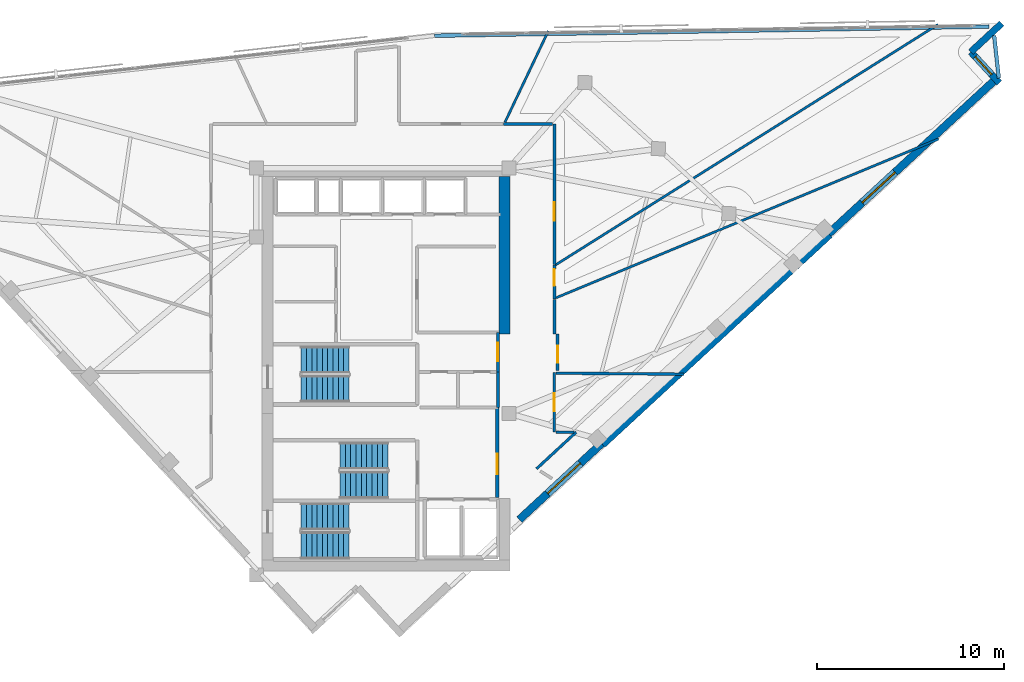
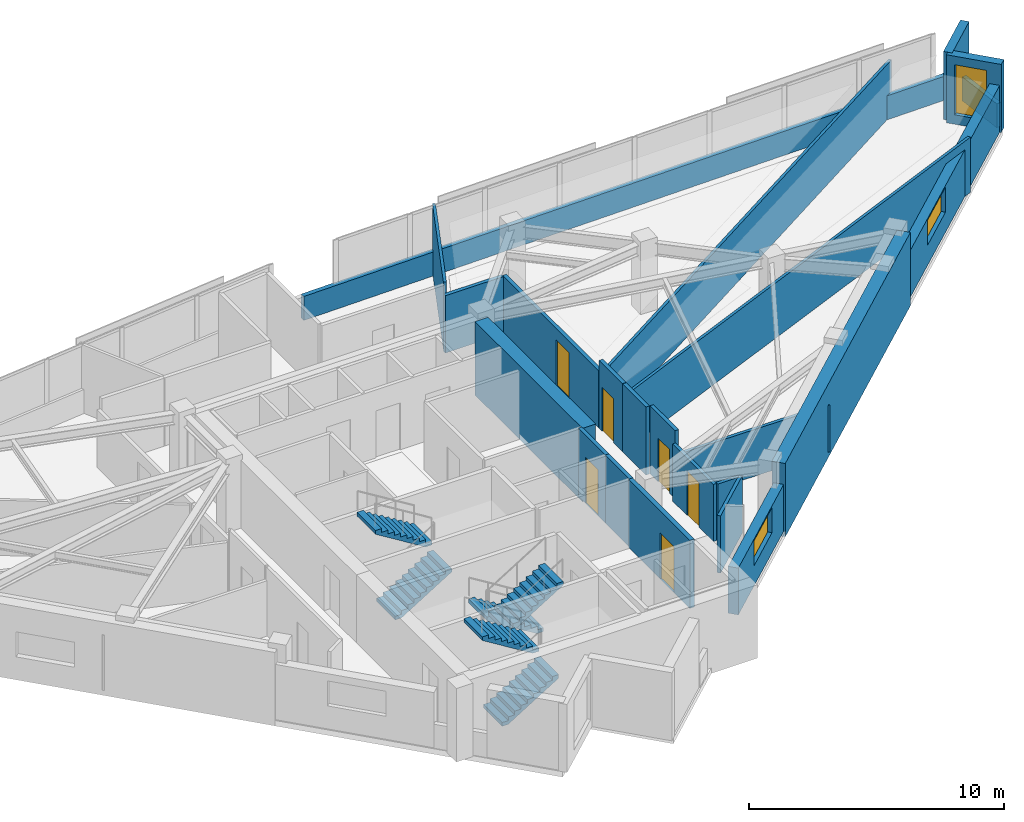
# One storey, part 10 of 13: 23 walls, 6 doors, 6 stair flights, 3 windows, 9 openings, 3 elements without a shape of their own.
"""IFC4 building model written with IfcOpenShell, lengths in metres."""

from ifc_helpers import new_model, si_unit, direction, frame, frame_2d, origin, place, context, subcontext, project, spatial, polyline, rectangle, outline, extrude, material, layer, layer_set, type_object, element, fill, aggregate, save


model = new_model("IFC4")

# Units and contexts
model_context = context("Model", 3, precision=1e-05, world=origin(), true_north=direction((0.0, 1.0)))
body_context = subcontext(model_context, "Body", "Model", "MODEL_VIEW")
ifc_project = project(units=[si_unit("LENGTHUNIT", "METRE"), si_unit("AREAUNIT", "SQUARE_METRE"), si_unit("VOLUMEUNIT", "CUBIC_METRE"), si_unit("PLANEANGLEUNIT", "RADIAN"), si_unit("MASSUNIT", "GRAM", prefix="KILO")], contexts=[model_context])

# Site, building, storey
site_placement = place(None, origin())
site = spatial("IfcSite", under=ifc_project, at=site_placement, CompositionType="ELEMENT")
building_placement = place(site_placement, origin())
building = spatial("IfcBuilding", under=site, at=building_placement, Name="Narakoshi Arena Tower", CompositionType="ELEMENT")
storey_placement = place(building_placement, frame((0.0, 0.0, 271.300048828125)))
storey = spatial("IfcBuildingStorey", under=building, at=storey_placement, Name="L74", CompositionType="ELEMENT", Elevation=271.300048828125)

# Wall
ifc_material_1 = material(Name="Concrete C50/60", Category="concrete")
ifc_layer_1 = layer(ifc_material_1, 0.60009765625)
ifc_layer_set_1 = layer_set([ifc_layer_1], Name="Concrete C50/60")
wall_type_1 = type_object("IfcWallType", Name="WL-CORE-600", PredefinedType="SHEAR", material=ifc_layer_set_1)
wall_1_placement = place(storey_placement, frame((85.300048828125, 47.60009765625, -0.260009765625), z_axis=(0.0, 0.0, 1.0), x_axis=(0.0, 1.0, 0.0)))
element("IfcWall", 1, at=wall_1_placement, inside=storey, type_object=wall_type_1, Name="L74 Main Core Shear Wall CW-MN-E", PredefinedType="SHEAR", context=body_context, shape_type="SweptSolid", body=[
    extrude(rectangle(XDim=8.449951171875, YDim=0.60009765625, at=frame_2d((4.22509765625, 0.0))), origin(), (0.0, 0.0, 1.0), 3.52001953125),
])

# Wall, opening, door
ifc_material_2 = material(Name="Gypsum plasterboard fire-rated partition")
ifc_layer_2 = layer(ifc_material_2, 0.1650390625)
ifc_layer_set_2 = layer_set([ifc_layer_2], Name="Gypsum plasterboard fire-rated partition")
wall_type_2 = type_object("IfcWallType", Name="WL-CORR-165", PredefinedType="PARTITIONING", material=ifc_layer_set_2)
wall_2_placement = place(storey_placement, frame((84.949951171875, 45.580078125, 0.0), z_axis=(0.0, 0.0, 1.0), x_axis=(0.0, 1.0, 0.0)))
wall_2 = element("IfcWall", 2, at=wall_2_placement, inside=storey, type_object=wall_type_2, Name="L74 Core Wall CPAS-E", PredefinedType="PARTITIONING", context=body_context, shape_type="SweptSolid", body=[
    extrude(rectangle(XDim=2.119873046875, YDim=0.1650390625, at=frame_2d((1.06005859375, 0.0))), origin(), (0.0, 0.0, 1.0), 3.260009765625),
])
opening_1_placement = place(wall_2_placement, frame((0.56005859375, 0.0, 0.0)))
opening_1 = element("IfcOpeningElement", 3, at=opening_1_placement, cuts=wall_2, Name="Opening D-06", PredefinedType="OPENING", context=body_context, shape_type="SweptSolid", body=[
    extrude(rectangle(XDim=1.0, YDim=2.199951171875, at=frame_2d((0.5, 1.10009765625))), frame((0.0, 0.092529296875, 0.0), z_axis=(0.0, -1.0, 0.0), x_axis=(1.0, 0.0, 0.0)), (0.0, 0.0, 1.0), 0.18505859375),
])
ifc_material_3 = material(Name="Stained oak solid-core timber", Category="wood")
door_type_1 = type_object("IfcDoorType", Name="DR-OFF-1000", OperationType="NOTDEFINED", PredefinedType="DOOR", material=ifc_material_3)
door_1_placement = place(opening_1_placement, frame((1.0, 0.0, 0.0), z_axis=(0.0, 0.0, 1.0), x_axis=(-1.0, 0.0, 0.0)))
door_1 = element("IfcDoor", 4, at=door_1_placement, inside=storey, type_object=door_type_1, Name="DR-L74-007", OperationType="SINGLE_SWING_LEFT", OverallHeight=2.199951171875, OverallWidth=1.0, PredefinedType="DOOR", context=body_context, shape_type="SweptSolid", body=[
    extrude(rectangle(XDim=1.0, YDim=2.199951171875, at=frame_2d((0.5, 1.10009765625))), frame((0.0, 0.02490234375, 0.0), z_axis=(0.0, -1.0, 0.0), x_axis=(1.0, 0.0, 0.0)), (0.0, 0.0, 1.0), 0.050048828125),
])
fill(opening_1, door_1)

wall_3_placement = place(storey_placement, frame((87.976318359375, 49.477294921875, 0.0), z_axis=(0.0, 0.0, 1.0), x_axis=(0.0, 1.0, 0.0)))
wall_3 = element("IfcWall", 5, at=wall_3_placement, inside=storey, type_object=wall_type_2, Name="L74 Corridor Partition 03-1", PredefinedType="PARTITIONING", context=body_context, shape_type="SweptSolid", body=[
    extrude(rectangle(XDim=1.83154296875, YDim=0.1650390625, at=frame_2d((0.915771484375, 0.0))), origin(), (0.0, 0.0, 1.0), 3.260009765625),
])
opening_2_placement = place(wall_3_placement, frame((0.710205078125, 0.0, 0.0)))
opening_2 = element("IfcOpeningElement", 6, at=opening_2_placement, cuts=wall_3, Name="Opening D-08", PredefinedType="OPENING", context=body_context, shape_type="SweptSolid", body=[
    extrude(rectangle(XDim=0.89990234375, YDim=2.10009765625, at=frame_2d((0.449951171875, 1.050048828125))), frame((0.0, 0.092529296875, 0.0), z_axis=(0.0, -1.0, 0.0), x_axis=(1.0, 0.0, 0.0)), (0.0, 0.0, 1.0), 0.18505859375),
])
ifc_material_4 = material(Name="Moisture-resistant laminate timber", Category="wood")
door_type_2 = type_object("IfcDoorType", Name="DR-WC-900", OperationType="NOTDEFINED", PredefinedType="DOOR", material=ifc_material_4)
door_2_placement = place(opening_2_placement, frame((0.89990234375, 0.0, 0.0), z_axis=(0.0, 0.0, 1.0), x_axis=(-1.0, 0.0, 0.0)))
door_2 = element("IfcDoor", 7, at=door_2_placement, inside=storey, type_object=door_type_2, Name="DR-L74-018", OperationType="SINGLE_SWING_RIGHT", OverallHeight=2.10009765625, OverallWidth=0.89990234375, PredefinedType="DOOR", context=body_context, shape_type="SweptSolid", body=[
    extrude(rectangle(XDim=0.89990234375, YDim=2.10009765625, at=frame_2d((0.449951171875, 1.050048828125))), frame((0.0, 0.02490234375, 0.0), z_axis=(0.0, -1.0, 0.0), x_axis=(1.0, 0.0, 0.0)), (0.0, 0.0, 1.0), 0.050048828125),
])
fill(opening_2, door_2)

wall_4_placement = place(storey_placement, frame((88.14990234375, 45.64990234375, 0.0), z_axis=(0.0, 0.0, 1.0), x_axis=(0.0, 1.0, 0.0)))
wall_4 = element("IfcWall", 8, at=wall_4_placement, inside=storey, type_object=wall_type_2, Name="L74 Corridor Partition 04-1", PredefinedType="PARTITIONING", context=body_context, shape_type="SweptSolid", body=[
    extrude(rectangle(XDim=1.97021484375, YDim=0.1650390625, at=frame_2d((0.985107421875, 0.0))), origin(), (0.0, 0.0, 1.0), 3.260009765625),
])
opening_3_placement = place(wall_4_placement, frame((0.4345703125, 0.0, 0.0)))
opening_3 = element("IfcOpeningElement", 9, at=opening_3_placement, cuts=wall_4, Name="Opening D-08", PredefinedType="OPENING", context=body_context, shape_type="SweptSolid", body=[
    extrude(rectangle(XDim=0.89990234375, YDim=2.10009765625, at=frame_2d((0.449951171875, 1.050048828125))), frame((0.0, 0.092529296875, 0.0), z_axis=(0.0, -1.0, 0.0), x_axis=(1.0, 0.0, 0.0)), (0.0, 0.0, 1.0), 0.18505859375),
])
door_3_placement = place(opening_3_placement, frame((0.89990234375, 0.0, 0.0), z_axis=(0.0, 0.0, 1.0), x_axis=(-1.0, 0.0, 0.0)))
door_3 = element("IfcDoor", 10, at=door_3_placement, inside=storey, type_object=door_type_2, Name="DR-L74-019", OperationType="SINGLE_SWING_LEFT", OverallHeight=2.10009765625, OverallWidth=0.89990234375, PredefinedType="DOOR", context=body_context, shape_type="SweptSolid", body=[
    extrude(rectangle(XDim=0.89990234375, YDim=2.10009765625, at=frame_2d((0.449951171875, 1.050048828125))), frame((0.0, 0.02490234375, 0.0), z_axis=(0.0, -1.0, 0.0), x_axis=(1.0, 0.0, 0.0)), (0.0, 0.0, 1.0), 0.050048828125),
])
fill(opening_3, door_3)

# Wall
wall_5_placement = place(storey_placement, frame((87.976318359375, 47.6201171875, 0.0), z_axis=(0.0, 0.0, 1.0), x_axis=(0.0, 1.0, 0.0)))
element("IfcWall", 11, at=wall_5_placement, inside=storey, type_object=wall_type_2, Name="L74 Corridor Partition 04-2", PredefinedType="PARTITIONING", context=body_context, shape_type="SweptSolid", body=[
    extrude(rectangle(XDim=1.831298828125, YDim=0.1650390625, at=frame_2d((0.91552734375, 0.0))), origin(), (0.0, 0.0, 1.0), 3.260009765625),
])

# Wall, opening, door
wall_6_placement = place(storey_placement, frame((87.976318359375, 51.337158203125, 0.0), z_axis=(0.0, 0.0, 1.0), x_axis=(0.0, 1.0, 0.0)))
wall_6 = element("IfcWall", 12, at=wall_6_placement, inside=storey, type_object=wall_type_2, Name="L74 Corridor Partition 05-1", PredefinedType="PARTITIONING", context=body_context, shape_type="SweptSolid", body=[
    extrude(rectangle(XDim=7.539306640625, YDim=0.1650390625, at=frame_2d((3.76953125, 0.0))), origin(), (0.0, 0.0, 1.0), 2.744873046875),
])
opening_4_placement = place(wall_6_placement, frame((2.348876953125, 0.0, 0.0)))
opening_4 = element("IfcOpeningElement", 13, at=opening_4_placement, cuts=wall_6, Name="Opening D-06", PredefinedType="OPENING", context=body_context, shape_type="SweptSolid", body=[
    extrude(rectangle(XDim=1.0, YDim=2.199951171875, at=frame_2d((0.5, 1.10009765625))), frame((0.0, 0.092529296875, 0.0), z_axis=(0.0, -1.0, 0.0), x_axis=(1.0, 0.0, 0.0)), (0.0, 0.0, 1.0), 0.18505859375),
])
door_4_placement = place(opening_4_placement, frame((1.0, 0.0, 0.0), z_axis=(0.0, 0.0, 1.0), x_axis=(-1.0, 0.0, 0.0)))
door_4 = element("IfcDoor", 14, at=door_4_placement, inside=storey, type_object=door_type_1, Name="DR-L74-020", OperationType="SINGLE_SWING_RIGHT", OverallHeight=2.199951171875, OverallWidth=1.0, PredefinedType="DOOR", context=body_context, shape_type="SweptSolid", body=[
    extrude(rectangle(XDim=1.0, YDim=2.199951171875, at=frame_2d((0.5, 1.10009765625))), frame((0.0, 0.02490234375, 0.0), z_axis=(0.0, -1.0, 0.0), x_axis=(1.0, 0.0, 0.0)), (0.0, 0.0, 1.0), 0.050048828125),
])
fill(opening_4, door_4)

# Walls
wall_7_placement = place(storey_placement, frame((87.8818359375, 58.87646484375, 0.0), z_axis=(0.0, 0.0, 1.0), x_axis=(-1.0, 0.0, 0.0)))
element("IfcWall", 15, at=wall_7_placement, inside=storey, type_object=wall_type_2, Name="L74 Corridor Partition 05-2", PredefinedType="PARTITIONING", context=body_context, shape_type="SweptSolid", body=[
    extrude(rectangle(XDim=2.63623046875, YDim=0.1650390625, at=frame_2d((1.318115234375, 0.0))), origin(), (0.0, 0.0, 1.0), 2.744873046875),
])
ifc_layer_3 = layer(ifc_material_1, 0.550048828125)
ifc_layer_set_3 = layer_set([ifc_layer_3], Name="Concrete C50/60")
wall_type_3 = type_object("IfcWallType", Name="WL-LEG-550", PredefinedType="SHEAR", material=ifc_layer_set_3)
wall_8_placement = place(storey_placement, frame((90.5078125, 41.739501953125, -0.260009765625), z_axis=(0.0, 0.0, 1.0), x_axis=(0.734315848115, 0.678807951638, 0.0)))
element("IfcWall", 16, at=wall_8_placement, inside=storey, type_object=wall_type_3, Name="L74 Architectural Concrete Structural Wall LEGA-3", PredefinedType="SHEAR", context=body_context, shape_type="SweptSolid", body=[
    extrude(rectangle(XDim=16.57275390625, YDim=0.550048828125, at=frame_2d((8.286376953125, 0.0))), origin(), (0.0, 0.0, 1.0), 3.52001953125),
])
ifc_material_5 = material(Name="Precast concrete C45/55", Category="concrete")
ifc_layer_4 = layer(ifc_material_5, 0.25)
ifc_layer_set_4 = layer_set([ifc_layer_4], Name="Precast concrete C45/55")
wall_type_4 = type_object("IfcWallType", Name="WL-PARA-250", PredefinedType="PARAPET", material=ifc_layer_set_4)
wall_9_placement = place(storey_placement, frame((111.80419921875, 61.324951171875, 0.0), z_axis=(0.0, 0.0, 1.0), x_axis=(-0.10875765817, 0.994068293323, 0.0)))
element("IfcWall", 17, at=wall_9_placement, inside=storey, type_object=wall_type_4, Name="L74 Architectural Setback Ledge Parapet", PredefinedType="PARAPET", context=body_context, shape_type="SweptSolid", body=[
    extrude(rectangle(XDim=2.305419921875, YDim=0.199951171875, at=frame_2d((1.15283203125, 0.0))), origin(), (0.0, 0.0, 1.0), 1.14990234375),
])
wall_10_placement = place(storey_placement, frame((111.2705078125, 64.091796875, 0.0), z_axis=(0.0, 0.0, 1.0), x_axis=(-0.999864741935, -0.016446818413, 0.0)))
element("IfcWall", 18, at=wall_10_placement, inside=storey, type_object=wall_type_4, Name="L74 Hypotenuse Sill Upstand Parapet 1-01", PredefinedType="PARAPET", context=body_context, shape_type="SweptSolid", body=[
    extrude(rectangle(XDim=29.73291015625, YDim=0.199951171875, at=frame_2d((14.866455078125, 0.0))), origin(), (0.0, 0.0, 1.0), 1.14990234375),
])
ifc_layer_5 = layer(ifc_material_2, 0.125)
ifc_layer_set_5 = layer_set([ifc_layer_5], Name="Gypsum plasterboard fire-rated partition")
wall_type_5 = type_object("IfcWallType", Name="WL-PART-125", PredefinedType="PARTITIONING", material=ifc_layer_set_5)
wall_11_placement = place(storey_placement, frame((108.575439453125, 58.066650390625, 0.0), z_axis=(0.0, 0.0, 1.0), x_axis=(-0.923597614344, -0.383363335203, 0.0)))
element("IfcWall", 19, at=wall_11_placement, inside=storey, type_object=wall_type_5, Name="L74 Inter-Room Partition 03-04", PredefinedType="PARTITIONING", context=body_context, shape_type="SweptSolid", body=[
    extrude(rectangle(XDim=22.200927734375, YDim=0.125, at=frame_2d((11.1005859375, 0.0))), origin(), (0.0, 0.0, 1.0), 2.64501953125),
])
wall_12_placement = place(storey_placement, frame((88.02685546875, 51.308837890625, 0.0), z_axis=(0.0, 0.0, 1.0), x_axis=(0.846577402355, 0.532265630885, 0.0)))
element("IfcWall", 20, at=wall_12_placement, inside=storey, type_object=wall_type_5, Name="L74 Inter-Room Partition 03-05", PredefinedType="PARTITIONING", context=body_context, shape_type="SweptSolid", body=[
    extrude(rectangle(XDim=24.232177734375, YDim=0.125, at=frame_2d((12.1162109375, 0.0))), origin(), (0.0, 0.0, 1.0), 2.64501953125),
])
wall_13_placement = place(storey_placement, frame((85.33056640625, 58.970947265625, 0.0), z_axis=(0.0, 0.0, 1.0), x_axis=(0.429074283855, 0.903269206236, 0.0)))
element("IfcWall", 21, at=wall_13_placement, inside=storey, type_object=wall_type_5, Name="L74 Inter-Room Partition 05-06", PredefinedType="PARTITIONING", context=body_context, shape_type="SweptSolid", body=[
    extrude(rectangle(XDim=5.416259765625, YDim=0.125, at=frame_2d((2.7080078125, 0.0))), origin(), (0.0, 0.0, 1.0), 3.260009765625),
])

# Wall, opening, window
ifc_layer_6 = layer(ifc_material_5, 0.419921875)
ifc_layer_set_6 = layer_set([ifc_layer_6], Name="Precast concrete C45/55")
wall_type_6 = type_object("IfcWallType", Name="WL-POD-420", PredefinedType="SOLIDWALL", material=ifc_layer_set_6)
wall_14_placement = place(storey_placement, frame((86.10009765625, 37.6650390625, 0.0), z_axis=(0.0, 0.0, 1.0), x_axis=(0.734321413343, 0.678801931277, 0.0)))
wall_14 = element("IfcWall", 22, at=wall_14_placement, inside=storey, type_object=wall_type_6, Name="L74 Architectural Concrete Facade Wall LEGA-2", PredefinedType="SOLIDWALL", context=body_context, shape_type="SweptSolid", body=[
    extrude(rectangle(XDim=6.00244140625, YDim=0.419921875, at=frame_2d((3.001220703125, 0.0))), origin(), (0.0, 0.0, 1.0), 2.244873046875),
])
opening_5_placement = place(wall_14_placement, frame((2.05712890625, 0.0, 0.965087890625)))
opening_5 = element("IfcOpeningElement", 23, at=opening_5_placement, cuts=wall_14, Name="Opening WN-04", PredefinedType="OPENING", context=body_context, shape_type="SweptSolid", body=[
    extrude(rectangle(XDim=2.39990234375, YDim=1.199951171875, at=frame_2d((1.199951171875, 0.60009765625))), frame((0.0, 0.219970703125, 0.0), z_axis=(0.0, -1.0, 0.0), x_axis=(1.0, 0.0, 0.0)), (0.0, 0.0, 1.0), 0.43994140625),
])
ifc_material_6 = material(Name="Bronze-tinted low-E laminated glass", Category="glass")
window_type_1 = type_object("IfcWindowType", Name="WIN-SLT-24x12", PartitioningType="SINGLE_PANEL", PredefinedType="WINDOW", material=ifc_material_6)
window_1_placement = place(opening_5_placement, origin())
window_1 = element("IfcWindow", 24, at=window_1_placement, inside=storey, type_object=window_type_1, Name="L74 LEGA2 Horizontal Slot Window 1", OverallHeight=1.199951171875, OverallWidth=2.39990234375, PartitioningType="SINGLE_PANEL", PredefinedType="WINDOW", context=body_context, shape_type="SweptSolid", body=[
    extrude(rectangle(XDim=2.39990234375, YDim=1.199951171875, at=frame_2d((1.199951171875, 0.60009765625))), frame((0.0, 0.030029296875, 0.0), z_axis=(0.0, -1.0, 0.0), x_axis=(1.0, 0.0, 0.0)), (0.0, 0.0, 1.0), 0.06005859375),
])
fill(opening_5, window_1)

wall_15_placement = place(storey_placement, frame((102.677490234375, 52.9892578125, 0.0), z_axis=(0.0, 0.0, 1.0), x_axis=(0.734331107219, 0.678791444386, 0.0)))
wall_15 = element("IfcWall", 25, at=wall_15_placement, inside=storey, type_object=wall_type_6, Name="L74 Architectural Concrete Facade Wall LEGA-4", PredefinedType="SOLIDWALL", context=body_context, shape_type="SweptSolid", body=[
    extrude(rectangle(XDim=12.21142578125, YDim=0.419921875, at=frame_2d((6.105712890625, 0.0))), origin(), (0.0, 0.0, 1.0), 2.244873046875),
])
opening_6_placement = place(wall_15_placement, frame((2.453857421875, 0.0, 0.965087890625)))
opening_6 = element("IfcOpeningElement", 26, at=opening_6_placement, cuts=wall_15, Name="Opening WN-04", PredefinedType="OPENING", context=body_context, shape_type="SweptSolid", body=[
    extrude(rectangle(XDim=2.39990234375, YDim=1.199951171875, at=frame_2d((1.199951171875, 0.60009765625))), frame((0.0, 0.219970703125, 0.0), z_axis=(0.0, -1.0, 0.0), x_axis=(1.0, 0.0, 0.0)), (0.0, 0.0, 1.0), 0.43994140625),
])
window_2_placement = place(opening_6_placement, origin())
window_2 = element("IfcWindow", 27, at=window_2_placement, inside=storey, type_object=window_type_1, Name="L74 LEGA4 Horizontal Slot Window 1", OverallHeight=1.199951171875, OverallWidth=2.39990234375, PartitioningType="SINGLE_PANEL", PredefinedType="WINDOW", context=body_context, shape_type="SweptSolid", body=[
    extrude(rectangle(XDim=2.39990234375, YDim=1.199951171875, at=frame_2d((1.199951171875, 0.60009765625))), frame((0.0, 0.030029296875, 0.0), z_axis=(0.0, -1.0, 0.0), x_axis=(1.0, 0.0, 0.0)), (0.0, 0.0, 1.0), 0.06005859375),
])
fill(opening_6, window_2)

wall_16_placement = place(storey_placement, frame((111.83154296875, 61.076416015625, 0.0), z_axis=(0.0, 0.0, 1.0), x_axis=(-0.678792531533, 0.734330102294, 0.0)))
wall_16 = element("IfcWall", 28, at=wall_16_placement, inside=storey, type_object=wall_type_6, Name="L74 Re-Entrant Corner Notch Wall NTE-1", PredefinedType="SOLIDWALL", context=body_context, shape_type="SweptSolid", body=[
    extrude(rectangle(XDim=2.255126953125, YDim=0.360107421875, at=frame_2d((1.12744140625, 0.0))), origin(), (0.0, 0.0, 1.0), 3.260009765625),
])
opening_7_placement = place(wall_16_placement, frame((0.614990234375, 0.0, 0.449951171875)))
opening_7 = element("IfcOpeningElement", 29, at=opening_7_placement, cuts=wall_16, Name="Opening WN-06", PredefinedType="OPENING", context=body_context, shape_type="SweptSolid", body=[
    extrude(rectangle(XDim=1.300048828125, YDim=2.39990234375, at=frame_2d((0.64990234375, 1.199951171875))), frame((0.0, 0.18994140625, 0.0), z_axis=(0.0, -1.0, 0.0), x_axis=(1.0, 0.0, 0.0)), (0.0, 0.0, 1.0), 0.380126953125),
])
window_type_2 = type_object("IfcWindowType", Name="WIN-NTC-16x24", PartitioningType="SINGLE_PANEL", PredefinedType="WINDOW", material=ifc_material_6)
window_3_placement = place(opening_7_placement, origin())
window_3 = element("IfcWindow", 30, at=window_3_placement, inside=storey, type_object=window_type_2, Name="L74 Corner Notch Window NTE", OverallHeight=2.39990234375, OverallWidth=1.300048828125, PartitioningType="SINGLE_PANEL", PredefinedType="WINDOW", context=body_context, shape_type="SweptSolid", body=[
    extrude(rectangle(XDim=1.300048828125, YDim=2.39990234375, at=frame_2d((0.64990234375, 1.199951171875))), frame((0.0, 0.030029296875, 0.0), z_axis=(0.0, -1.0, 0.0), x_axis=(1.0, 0.0, 0.0)), (0.0, 0.0, 1.0), 0.06005859375),
])
fill(opening_7, window_3)

# Walls
wall_17_placement = place(storey_placement, frame((110.30078125, 62.732421875, 0.0), z_axis=(0.0, 0.0, 1.0), x_axis=(0.734330102294, 0.678792531533, 0.0)))
element("IfcWall", 31, at=wall_17_placement, inside=storey, type_object=wall_type_6, Name="L74 Re-Entrant Corner Notch Wall NTE-2", PredefinedType="SOLIDWALL", context=body_context, shape_type="SweptSolid", body=[
    extrude(rectangle(XDim=2.255126953125, YDim=0.360107421875, at=frame_2d((1.12744140625, 0.0))), origin(), (0.0, 0.0, 1.0), 3.260009765625),
])
ifc_material_7 = material(Name="Concrete C40/50", Category="concrete")
ifc_layer_7 = layer(ifc_material_7, 0.280029296875)
ifc_layer_set_7 = layer_set([ifc_layer_7], Name="Concrete C40/50")
wall_type_7 = type_object("IfcWallType", Name="WL-RISER-280", PredefinedType="PLUMBINGWALL", material=ifc_layer_set_7)
wall_18_placement = place(storey_placement, frame((84.949951171875, 43.679931640625, 0.0), z_axis=(0.0, 0.0, 1.0), x_axis=(0.0, 1.0, 0.0)))
element("IfcWall", 32, at=wall_18_placement, inside=storey, type_object=wall_type_7, Name="L74 Core Wall RSR-E", PredefinedType="PLUMBINGWALL", context=body_context, shape_type="SweptSolid", body=[
    extrude(rectangle(XDim=1.900146484375, YDim=0.1650390625, at=frame_2d((0.9501953125, 0.0))), origin(), (0.0, 0.0, 1.0), 3.260009765625),
])

# Wall, opening, door
ifc_layer_8 = layer(ifc_material_1, 0.35009765625)
ifc_layer_set_8 = layer_set([ifc_layer_8], Name="Concrete C50/60")
wall_type_8 = type_object("IfcWallType", Name="WL-SHAFT-350", PredefinedType="SOLIDWALL", material=ifc_layer_set_8)
wall_19_placement = place(storey_placement, frame((84.919921875, 38.85009765625, 0.0), z_axis=(0.0, 0.0, 1.0), x_axis=(0.0, 1.0, 0.0)))
wall_19 = element("IfcWall", 33, at=wall_19_placement, inside=storey, type_object=wall_type_8, Name="L74 Core Wall FFLOB-E", PredefinedType="SOLIDWALL", context=body_context, shape_type="SweptSolid", body=[
    extrude(rectangle(XDim=4.829833984375, YDim=0.199951171875, at=frame_2d((2.4150390625, 0.0))), origin(), (0.0, 0.0, 1.0), 3.260009765625),
])
opening_8_placement = place(wall_19_placement, frame((1.25, 0.0, 0.0)))
opening_8 = element("IfcOpeningElement", 34, at=opening_8_placement, cuts=wall_19, Name="Opening D-04", PredefinedType="OPENING", context=body_context, shape_type="SweptSolid", body=[
    extrude(rectangle(XDim=1.10009765625, YDim=2.199951171875, at=frame_2d((0.550048828125, 1.10009765625))), frame((0.0, 0.10986328125, 0.0), z_axis=(0.0, -1.0, 0.0), x_axis=(1.0, 0.0, 0.0)), (0.0, 0.0, 1.0), 0.219970703125),
])
ifc_material_8 = material(Name="Painted galvanized steel", Category="steel")
door_type_3 = type_object("IfcDoorType", Name="DR-FFL-1100", OperationType="NOTDEFINED", PredefinedType="DOOR", material=ifc_material_8)
door_5_placement = place(opening_8_placement, frame((1.10009765625, 0.0, 0.0), z_axis=(0.0, 0.0, 1.0), x_axis=(-1.0, 0.0, 0.0)))
door_5 = element("IfcDoor", 35, at=door_5_placement, inside=storey, type_object=door_type_3, Name="DR-L74-005", OperationType="SINGLE_SWING_RIGHT", OverallHeight=2.199951171875, OverallWidth=1.10009765625, PredefinedType="DOOR", context=body_context, shape_type="SweptSolid", body=[
    extrude(rectangle(XDim=1.10009765625, YDim=2.199951171875, at=frame_2d((0.550048828125, 1.10009765625))), frame((0.0, 0.02490234375, 0.0), z_axis=(0.0, -1.0, 0.0), x_axis=(1.0, 0.0, 0.0)), (0.0, 0.0, 1.0), 0.050048828125),
])
fill(opening_8, door_5)

ifc_material_9 = material(Name="Moisture-resistant cement-board partition")
ifc_layer_9 = layer(ifc_material_9, 0.14501953125)
ifc_layer_set_9 = layer_set([ifc_layer_9], Name="Moisture-resistant cement-board partition")
wall_type_9 = type_object("IfcWallType", Name="WL-WET-145", PredefinedType="PARTITIONING", material=ifc_layer_set_9)
wall_20_placement = place(storey_placement, frame((87.976318359375, 42.35009765625, 0.0), z_axis=(0.0, 0.0, 1.0), x_axis=(0.0, 1.0, 0.0)))
wall_20 = element("IfcWall", 36, at=wall_20_placement, inside=storey, type_object=wall_type_9, Name="L74 Corridor Partition 02-1", PredefinedType="PARTITIONING", context=body_context, shape_type="SweptSolid", body=[
    extrude(rectangle(XDim=3.197998046875, YDim=0.14501953125, at=frame_2d((1.59912109375, 0.0))), origin(), (0.0, 0.0, 1.0), 2.744873046875),
])
opening_9_placement = place(wall_20_placement, frame((1.1240234375, 0.0, 0.0)))
opening_9 = element("IfcOpeningElement", 37, at=opening_9_placement, cuts=wall_20, Name="Opening D-07", PredefinedType="OPENING", context=body_context, shape_type="SweptSolid", body=[
    extrude(rectangle(XDim=0.949951171875, YDim=2.14990234375, at=frame_2d((0.47509765625, 1.074951171875))), frame((0.0, 0.08251953125, 0.0), z_axis=(0.0, -1.0, 0.0), x_axis=(1.0, 0.0, 0.0)), (0.0, 0.0, 1.0), 0.1650390625),
])
door_type_4 = type_object("IfcDoorType", Name="DR-ACC-950", OperationType="NOTDEFINED", PredefinedType="DOOR", material=ifc_material_3)
door_6_placement = place(opening_9_placement, frame((0.949951171875, 0.0, 0.0), z_axis=(0.0, 0.0, 1.0), x_axis=(-1.0, 0.0, 0.0)))
door_6 = element("IfcDoor", 38, at=door_6_placement, inside=storey, type_object=door_type_4, Name="DR-L74-017", OperationType="SINGLE_SWING_RIGHT", OverallHeight=2.14990234375, OverallWidth=0.949951171875, PredefinedType="DOOR", context=body_context, shape_type="SweptSolid", body=[
    extrude(rectangle(XDim=0.949951171875, YDim=2.14990234375, at=frame_2d((0.47509765625, 1.074951171875))), frame((0.0, 0.02490234375, 0.0), z_axis=(0.0, -1.0, 0.0), x_axis=(1.0, 0.0, 0.0)), (0.0, 0.0, 1.0), 0.050048828125),
])
fill(opening_9, door_6)

# Walls
wall_21_placement = place(storey_placement, frame((87.019775390625, 40.3876953125, 0.0), z_axis=(0.0, 0.0, 1.0), x_axis=(0.734304632267, 0.678820084435, 0.0)))
element("IfcWall", 39, at=wall_21_placement, inside=storey, type_object=wall_type_9, Name="L74 Corridor Partition 02-2", PredefinedType="PARTITIONING", context=body_context, shape_type="SweptSolid", body=[
    extrude(rectangle(XDim=2.890869140625, YDim=0.14501953125, at=frame_2d((1.4453125, 0.0))), origin(), (0.0, 0.0, 1.0), 2.744873046875),
])
wall_22_placement = place(storey_placement, frame((89.01806640625, 42.35009765625, 0.0), z_axis=(0.0, 0.0, 1.0), x_axis=(-1.0, 0.0, 0.0)))
element("IfcWall", 40, at=wall_22_placement, inside=storey, type_object=wall_type_9, Name="L74 Corridor Partition 02-3", PredefinedType="PARTITIONING", context=body_context, shape_type="SweptSolid", body=[
    extrude(rectangle(XDim=0.957275390625, YDim=0.14501953125, at=frame_2d((0.478515625, 0.0))), origin(), (0.0, 0.0, 1.0), 2.744873046875),
])
wall_23_placement = place(storey_placement, frame((88.060791015625, 45.511474609375, 0.0), z_axis=(0.0, 0.0, 1.0), x_axis=(0.999970861304, -0.007633907438, 0.0)))
element("IfcWall", 41, at=wall_23_placement, inside=storey, type_object=wall_type_9, Name="L74 Inter-Room Partition 02-04", PredefinedType="PARTITIONING", context=body_context, shape_type="SweptSolid", body=[
    extrude(rectangle(XDim=6.8759765625, YDim=0.14501953125, at=frame_2d((3.43798828125, 0.0))), origin(), (0.0, 0.0, 1.0), 2.244873046875),
])

# Stair, stair flights
ifc_material_10 = material(Name="Concrete C45/55", Category="concrete")
stair_type = type_object("IfcStairType", Name="STR-CORE-352", PredefinedType="TWO_STRAIGHT_RUN_STAIR", material=ifc_material_10)
stair_1_placement = place(storey_placement, origin())
stair_1 = element("IfcStair", 42, at=stair_1_placement, inside=storey, type_object=stair_type, Name="L74 Core Escape Stair ST1", PredefinedType="TWO_STRAIGHT_RUN_STAIR")
stair_flight_type = type_object("IfcStairFlightType", Name="FLT-145-160", PredefinedType="STRAIGHT", material=ifc_material_5)
stair_flight_1_placement = place(storey_placement, frame((74.39990234375, 36.27490234375, 0.0), z_axis=(0.0, 0.0, 1.0), x_axis=(1.0, 0.0, 0.0)))
stair_flight_1 = element("IfcStairFlight", 43, at=stair_flight_1_placement, type_object=stair_flight_type, Name="ST1 flight 1", NumberOfRisers=10, NumberOfTreads=9, PredefinedType="STRAIGHT", RiserHeight=0.176, TreadLength=0.285, context=body_context, shape_type="SweptSolid", body=[
    extrude(outline(polyline([(0.0, 0.0), (0.0, 0.176025390625), (0.284912109375, 0.176025390625), (0.284912109375, 0.35205078125), (0.570068359375, 0.35205078125), (0.570068359375, 0.528076171875), (0.85498046875, 0.528076171875), (0.85498046875, 0.7041015625), (1.139892578125, 0.7041015625), (1.139892578125, 0.8798828125), (1.425048828125, 0.8798828125), (1.425048828125, 1.055908203125), (1.7099609375, 1.055908203125), (1.7099609375, 1.23193359375), (1.9951171875, 1.23193359375), (1.9951171875, 1.407958984375), (2.280029296875, 1.407958984375), (2.280029296875, 1.583984375), (2.56494140625, 1.583984375), (2.56494140625, 1.760009765625), (2.56494140625, 1.40771484375), (0.285400390625, 0.0), (0.0, 0.0)])), frame((0.0, 0.72509765625, 0.0), z_axis=(0.0, -1.0, 0.0), x_axis=(1.0, 0.0, 0.0)), (0.0, 0.0, 1.0), 1.449951171875),
])
stair_flight_2_placement = place(storey_placement, frame((76.965087890625, 37.824951171875, 1.760009765625), z_axis=(0.0, 0.0, 1.0), x_axis=(-1.0, 0.0, 0.0)))
stair_flight_2 = element("IfcStairFlight", 44, at=stair_flight_2_placement, type_object=stair_flight_type, Name="ST1 flight 2", NumberOfRisers=10, NumberOfTreads=9, PredefinedType="STRAIGHT", RiserHeight=0.176, TreadLength=0.285, context=body_context, shape_type="SweptSolid", body=[
    extrude(outline(polyline([(0.0, 0.0), (0.0, 0.176025390625), (0.284912109375, 0.176025390625), (0.284912109375, 0.35205078125), (0.570068359375, 0.35205078125), (0.570068359375, 0.528076171875), (0.85498046875, 0.528076171875), (0.85498046875, 0.7041015625), (1.139892578125, 0.7041015625), (1.139892578125, 0.8798828125), (1.425048828125, 0.8798828125), (1.425048828125, 1.055908203125), (1.7099609375, 1.055908203125), (1.7099609375, 1.23193359375), (1.9951171875, 1.23193359375), (1.9951171875, 1.407958984375), (2.280029296875, 1.407958984375), (2.280029296875, 1.583984375), (2.56494140625, 1.583984375), (2.56494140625, 1.760009765625), (2.56494140625, 1.40771484375), (0.285400390625, 0.0), (0.0, 0.0)])), frame((0.0, 0.72509765625, 0.0), z_axis=(0.0, -1.0, 0.0), x_axis=(1.0, 0.0, 0.0)), (0.0, 0.0, 1.0), 1.449951171875),
])
aggregate(stair_1, [stair_flight_1, stair_flight_2])

stair_2_placement = place(storey_placement, origin())
stair_2 = element("IfcStair", 45, at=stair_2_placement, inside=storey, type_object=stair_type, Name="L74 Core Escape Stair ST2", PredefinedType="TWO_STRAIGHT_RUN_STAIR")
stair_flight_3_placement = place(storey_placement, frame((79.050048828125, 41.074951171875, 0.0), z_axis=(0.0, 0.0, 1.0), x_axis=(-1.0, 0.0, 0.0)))
stair_flight_3 = element("IfcStairFlight", 46, at=stair_flight_3_placement, type_object=stair_flight_type, Name="ST2 flight 1", NumberOfRisers=10, NumberOfTreads=9, PredefinedType="STRAIGHT", RiserHeight=0.176, TreadLength=0.285, context=body_context, shape_type="SweptSolid", body=[
    extrude(outline(polyline([(0.0, 0.0), (0.0, 0.176025390625), (0.284912109375, 0.176025390625), (0.284912109375, 0.35205078125), (0.570068359375, 0.35205078125), (0.570068359375, 0.528076171875), (0.85498046875, 0.528076171875), (0.85498046875, 0.7041015625), (1.139892578125, 0.7041015625), (1.139892578125, 0.8798828125), (1.425048828125, 0.8798828125), (1.425048828125, 1.055908203125), (1.7099609375, 1.055908203125), (1.7099609375, 1.23193359375), (1.9951171875, 1.23193359375), (1.9951171875, 1.407958984375), (2.280029296875, 1.407958984375), (2.280029296875, 1.583984375), (2.56494140625, 1.583984375), (2.56494140625, 1.760009765625), (2.56494140625, 1.40771484375), (0.285400390625, 0.0), (0.0, 0.0)])), frame((0.0, 0.72509765625, 0.0), z_axis=(0.0, -1.0, 0.0), x_axis=(1.0, 0.0, 0.0)), (0.0, 0.0, 1.0), 1.449951171875),
])
stair_flight_4_placement = place(storey_placement, frame((76.485107421875, 39.52490234375, 1.760009765625), z_axis=(0.0, 0.0, 1.0), x_axis=(1.0, 0.0, 0.0)))
stair_flight_4 = element("IfcStairFlight", 47, at=stair_flight_4_placement, type_object=stair_flight_type, Name="ST2 flight 2", NumberOfRisers=10, NumberOfTreads=9, PredefinedType="STRAIGHT", RiserHeight=0.176, TreadLength=0.285, context=body_context, shape_type="SweptSolid", body=[
    extrude(outline(polyline([(0.0, 0.0), (0.0, 0.176025390625), (0.284912109375, 0.176025390625), (0.284912109375, 0.35205078125), (0.570068359375, 0.35205078125), (0.570068359375, 0.528076171875), (0.85498046875, 0.528076171875), (0.85498046875, 0.7041015625), (1.139892578125, 0.7041015625), (1.139892578125, 0.8798828125), (1.425048828125, 0.8798828125), (1.425048828125, 1.055908203125), (1.7099609375, 1.055908203125), (1.7099609375, 1.23193359375), (1.9951171875, 1.23193359375), (1.9951171875, 1.407958984375), (2.280029296875, 1.407958984375), (2.280029296875, 1.583984375), (2.56494140625, 1.583984375), (2.56494140625, 1.760009765625), (2.56494140625, 1.40771484375), (0.285400390625, 0.0), (0.0, 0.0)])), frame((0.0, 0.72509765625, 0.0), z_axis=(0.0, -1.0, 0.0), x_axis=(1.0, 0.0, 0.0)), (0.0, 0.0, 1.0), 1.449951171875),
])
aggregate(stair_2, [stair_flight_3, stair_flight_4])

stair_3_placement = place(storey_placement, origin())
stair_3 = element("IfcStair", 48, at=stair_3_placement, inside=storey, type_object=stair_type, Name="L74 Core Escape Stair ST3", PredefinedType="TWO_STRAIGHT_RUN_STAIR")
stair_flight_5_placement = place(storey_placement, frame((74.39990234375, 44.675048828125, 0.0), z_axis=(0.0, 0.0, 1.0), x_axis=(1.0, 0.0, 0.0)))
stair_flight_5 = element("IfcStairFlight", 49, at=stair_flight_5_placement, type_object=stair_flight_type, Name="ST3 flight 1", NumberOfRisers=10, NumberOfTreads=9, PredefinedType="STRAIGHT", RiserHeight=0.176, TreadLength=0.285, context=body_context, shape_type="SweptSolid", body=[
    extrude(outline(polyline([(0.0, 0.0), (0.0, 0.176025390625), (0.284912109375, 0.176025390625), (0.284912109375, 0.35205078125), (0.570068359375, 0.35205078125), (0.570068359375, 0.528076171875), (0.85498046875, 0.528076171875), (0.85498046875, 0.7041015625), (1.139892578125, 0.7041015625), (1.139892578125, 0.8798828125), (1.425048828125, 0.8798828125), (1.425048828125, 1.055908203125), (1.7099609375, 1.055908203125), (1.7099609375, 1.23193359375), (1.9951171875, 1.23193359375), (1.9951171875, 1.407958984375), (2.280029296875, 1.407958984375), (2.280029296875, 1.583984375), (2.56494140625, 1.583984375), (2.56494140625, 1.760009765625), (2.56494140625, 1.40771484375), (0.285400390625, 0.0), (0.0, 0.0)])), frame((0.0, 0.72509765625, 0.0), z_axis=(0.0, -1.0, 0.0), x_axis=(1.0, 0.0, 0.0)), (0.0, 0.0, 1.0), 1.449951171875),
])
stair_flight_6_placement = place(storey_placement, frame((76.965087890625, 46.22509765625, 1.760009765625), z_axis=(0.0, 0.0, 1.0), x_axis=(-1.0, 0.0, 0.0)))
stair_flight_6 = element("IfcStairFlight", 50, at=stair_flight_6_placement, type_object=stair_flight_type, Name="ST3 flight 2", NumberOfRisers=10, NumberOfTreads=9, PredefinedType="STRAIGHT", RiserHeight=0.176, TreadLength=0.285, context=body_context, shape_type="SweptSolid", body=[
    extrude(outline(polyline([(0.0, 0.0), (0.0, 0.176025390625), (0.284912109375, 0.176025390625), (0.284912109375, 0.35205078125), (0.570068359375, 0.35205078125), (0.570068359375, 0.528076171875), (0.85498046875, 0.528076171875), (0.85498046875, 0.7041015625), (1.139892578125, 0.7041015625), (1.139892578125, 0.8798828125), (1.425048828125, 0.8798828125), (1.425048828125, 1.055908203125), (1.7099609375, 1.055908203125), (1.7099609375, 1.23193359375), (1.9951171875, 1.23193359375), (1.9951171875, 1.407958984375), (2.280029296875, 1.407958984375), (2.280029296875, 1.583984375), (2.56494140625, 1.583984375), (2.56494140625, 1.760009765625), (2.56494140625, 1.40771484375), (0.285400390625, 0.0), (0.0, 0.0)])), frame((0.0, 0.72509765625, 0.0), z_axis=(0.0, -1.0, 0.0), x_axis=(1.0, 0.0, 0.0)), (0.0, 0.0, 1.0), 1.449951171875),
])
aggregate(stair_3, [stair_flight_5, stair_flight_6])

save(model, "model.ifc")
